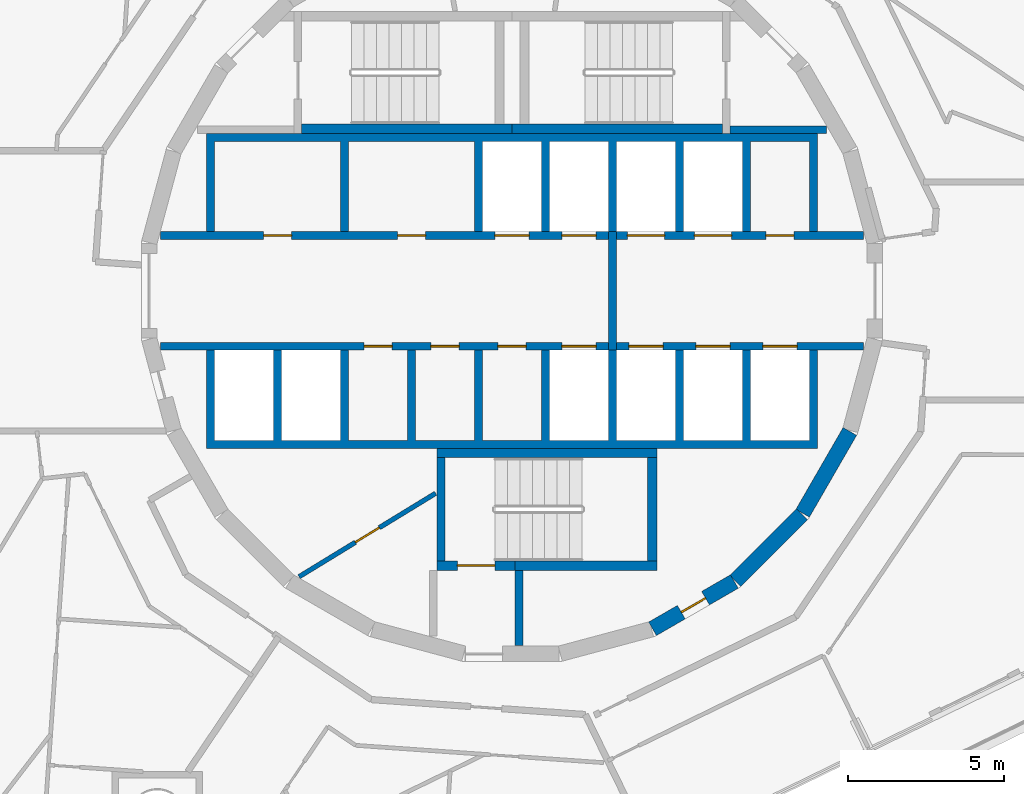
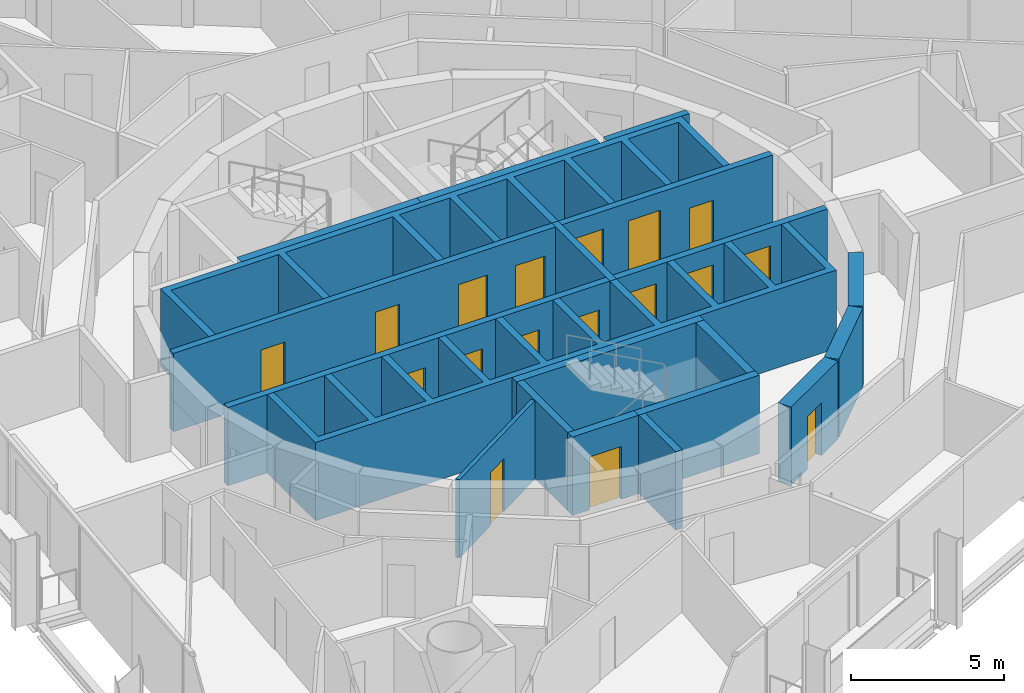
# One storey, part 13 of 18: 20 walls, 17 doors, 17 openings.
"""IFC4 building model written with IfcOpenShell, lengths in metres."""

from ifc_helpers import new_model, si_unit, direction, frame, frame_2d, origin, place, context, subcontext, project, spatial, polyline, rectangle, outline, extrude, material, layer, layer_set, type_object, element, fill, save


model = new_model("IFC4")

# Units and contexts
model_context = context("Model", 3, precision=1e-05, world=origin(), true_north=direction((0.0, 1.0)))
body_context = subcontext(model_context, "Body", "Model", "MODEL_VIEW")
ifc_project = project(units=[si_unit("LENGTHUNIT", "METRE"), si_unit("AREAUNIT", "SQUARE_METRE"), si_unit("VOLUMEUNIT", "CUBIC_METRE"), si_unit("PLANEANGLEUNIT", "RADIAN"), si_unit("MASSUNIT", "GRAM", prefix="KILO")], contexts=[model_context])

# Site, building, storey
site_placement = place(None, origin())
site = spatial("IfcSite", under=ifc_project, at=site_placement, CompositionType="ELEMENT")
building_placement = place(site_placement, origin())
building = spatial("IfcBuilding", under=site, at=building_placement, Name="Spindle Arch Residences", CompositionType="ELEMENT")
storey_placement = place(building_placement, frame((0.0, 0.0, 195.39990234375)))
storey = spatial("IfcBuildingStorey", under=building, at=storey_placement, Name="L49", CompositionType="ELEMENT", Elevation=195.39990234375)

# Wall, opening, door
ifc_material_1 = material(Name="Concrete C50/60", Category="concrete")
ifc_layer_1 = layer(ifc_material_1, 0.5)
ifc_layer_set_1 = layer_set([ifc_layer_1], Name="Core outline wall 500")
wall_type_1 = type_object("IfcWallType", Name="Core outline wall 500", PredefinedType="SHEAR", material=ifc_layer_set_1)
wall_1_placement = place(storey_placement, frame((4.510498046875, -10.84521484375, 0.0), z_axis=(0.0, 0.0, 1.0), x_axis=(0.865975092491, 0.500087131594, 0.0)))
wall_1 = element("IfcWall", 1, at=wall_1_placement, inside=storey, type_object=wall_type_1, Name="Core outline wall 2", PredefinedType="SHEAR", context=body_context, shape_type="SweptSolid", body=[
    extrude(rectangle(XDim=3.03271484375, YDim=0.5, at=frame_2d((1.516357421875, 0.0))), origin(), (0.0, 0.0, 1.0), 3.1201171875),
])
opening_1_placement = place(wall_1_placement, frame((1.06640625, 0.0, 0.0)))
opening_1 = element("IfcOpeningElement", 2, at=opening_1_placement, cuts=wall_1, Name="Opening R5A0-WD10", PredefinedType="OPENING", context=body_context, shape_type="SweptSolid", body=[
    extrude(rectangle(XDim=0.89990234375, YDim=2.10009765625, at=frame_2d((0.449951171875, 1.050048828125))), frame((0.0, 0.260009765625, 0.0), z_axis=(0.0, -1.0, 0.0), x_axis=(1.0, 0.0, 0.0)), (0.0, 0.0, 1.0), 0.52001953125),
])
ifc_material_2 = material(Name="Steel, fire-resisting door", Category="steel")
door_type_1 = type_object("IfcDoorType", Name="Service room door 900x2100", OperationType="SINGLE_SWING_LEFT", PredefinedType="DOOR", material=ifc_material_2)
door_1_placement = place(opening_1_placement, origin())
door_1 = element("IfcDoor", 3, at=door_1_placement, inside=storey, type_object=door_type_1, Name="Service room door R5A0-WD10", OperationType="SINGLE_SWING_RIGHT", OverallHeight=2.10009765625, OverallWidth=0.89990234375, PredefinedType="DOOR", context=body_context, shape_type="SweptSolid", body=[
    extrude(rectangle(XDim=0.89990234375, YDim=2.10009765625, at=frame_2d((0.449951171875, 1.050048828125))), frame((0.0, 0.02490234375, 0.0), z_axis=(0.0, -1.0, 0.0), x_axis=(1.0, 0.0, 0.0)), (0.0, 0.0, 1.0), 0.050048828125),
])
fill(opening_1, door_1)

# Walls
wall_2_placement = place(storey_placement, frame((7.163818359375, -9.30810546875, 0.0), z_axis=(0.0, 0.0, 1.0), x_axis=(0.707106781187, 0.707106781187, 0.0)))
element("IfcWall", 4, at=wall_2_placement, inside=storey, type_object=wall_type_1, Name="Core outline wall 3", PredefinedType="SHEAR", context=body_context, shape_type="SweptSolid", body=[
    extrude(rectangle(XDim=3.032470703125, YDim=0.5, at=frame_2d((1.51611328125, 0.0))), origin(), (0.0, 0.0, 1.0), 3.1201171875),
])
wall_3_placement = place(storey_placement, frame((9.32861328125, -7.13671875, 0.0), z_axis=(0.0, 0.0, 1.0), x_axis=(0.500087131594, 0.865975092491, 0.0)))
element("IfcWall", 5, at=wall_3_placement, inside=storey, type_object=wall_type_1, Name="Core outline wall 4", PredefinedType="SHEAR", context=body_context, shape_type="SweptSolid", body=[
    extrude(rectangle(XDim=3.03271484375, YDim=0.5, at=frame_2d((1.516357421875, 0.0))), origin(), (0.0, 0.0, 1.0), 3.1201171875),
])

# Wall, openings, doors
ifc_material_3 = material(Name="Concrete C40/50", Category="concrete")
ifc_layer_2 = layer(ifc_material_3, 0.25)
ifc_layer_set_2 = layer_set([ifc_layer_2], Name="Fire-lift lobby wall 250")
wall_type_2 = type_object("IfcWallType", Name="Fire-lift lobby wall 250", PredefinedType="SHEAR", material=ifc_layer_set_2)
wall_4_placement = place(storey_placement, frame((3.35009765625, 1.77490234375, 0.0), z_axis=(0.0, 0.0, 1.0), x_axis=(1.0, 0.0, 0.0)))
wall_4 = element("IfcWall", 6, at=wall_4_placement, inside=storey, type_object=wall_type_2, Name="Lift shaft front wall NE", PredefinedType="SHEAR", context=body_context, shape_type="SweptSolid", body=[
    extrude(rectangle(XDim=7.929931640625, YDim=0.25, at=frame_2d((3.96484375, 0.0))), origin(), (0.0, 0.0, 1.0), 3.1201171875),
])
opening_2_placement = place(wall_4_placement, frame((0.35009765625, 0.0, 0.0)))
opening_2 = element("IfcOpeningElement", 7, at=opening_2_placement, cuts=wall_4, Name="Opening R5A0-SLD01", PredefinedType="OPENING", context=body_context, shape_type="SweptSolid", body=[
    extrude(rectangle(XDim=1.199951171875, YDim=2.39990234375, at=frame_2d((0.60009765625, 1.199951171875))), frame((0.0, 0.135009765625, 0.0), z_axis=(0.0, -1.0, 0.0), x_axis=(1.0, 0.0, 0.0)), (0.0, 0.0, 1.0), 0.27001953125),
])
opening_3_placement = place(wall_4_placement, frame((2.5, 0.0, 0.0)))
opening_3 = element("IfcOpeningElement", 8, at=opening_3_placement, cuts=wall_4, Name="Opening R5A0-SLD02", PredefinedType="OPENING", context=body_context, shape_type="SweptSolid", body=[
    extrude(rectangle(XDim=1.199951171875, YDim=2.39990234375, at=frame_2d((0.60009765625, 1.199951171875))), frame((0.0, 0.135009765625, 0.0), z_axis=(0.0, -1.0, 0.0), x_axis=(1.0, 0.0, 0.0)), (0.0, 0.0, 1.0), 0.27001953125),
])
opening_4_placement = place(wall_4_placement, frame((4.800048828125, 0.0, 0.0)))
opening_4 = element("IfcOpeningElement", 9, at=opening_4_placement, cuts=wall_4, Name="Opening R5A0-WD03", PredefinedType="OPENING", context=body_context, shape_type="SweptSolid", body=[
    extrude(rectangle(XDim=0.89990234375, YDim=2.10009765625, at=frame_2d((0.449951171875, 1.050048828125))), frame((0.0, 0.135009765625, 0.0), z_axis=(0.0, -1.0, 0.0), x_axis=(1.0, 0.0, 0.0)), (0.0, 0.0, 1.0), 0.27001953125),
])
ifc_material_4 = material(Name="Steel, fire-resisting landing door", Category="steel")
door_type_2 = type_object("IfcDoorType", Name="Service lift landing door 1200x2400", OperationType="DOUBLE_DOOR_SLIDING", PredefinedType="DOOR", material=ifc_material_4)
door_2_placement = place(opening_2_placement, origin())
door_2 = element("IfcDoor", 10, at=door_2_placement, inside=storey, type_object=door_type_2, Name="Service lift landing door R5A0-SLD01", OperationType="DOUBLE_DOOR_SLIDING", OverallHeight=2.39990234375, OverallWidth=1.199951171875, PredefinedType="DOOR", context=body_context, shape_type="SweptSolid", body=[
    extrude(rectangle(XDim=1.199951171875, YDim=2.39990234375, at=frame_2d((0.60009765625, 1.199951171875))), frame((0.0, 0.02490234375, 0.0), z_axis=(0.0, -1.0, 0.0), x_axis=(1.0, 0.0, 0.0)), (0.0, 0.0, 1.0), 0.050048828125),
])
fill(opening_2, door_2)
door_3_placement = place(opening_3_placement, origin())
door_3 = element("IfcDoor", 11, at=door_3_placement, inside=storey, type_object=door_type_2, Name="Service lift landing door R5A0-SLD02", OperationType="DOUBLE_DOOR_SLIDING", OverallHeight=2.39990234375, OverallWidth=1.199951171875, PredefinedType="DOOR", context=body_context, shape_type="SweptSolid", body=[
    extrude(rectangle(XDim=1.199951171875, YDim=2.39990234375, at=frame_2d((0.60009765625, 1.199951171875))), frame((0.0, 0.02490234375, 0.0), z_axis=(0.0, -1.0, 0.0), x_axis=(1.0, 0.0, 0.0)), (0.0, 0.0, 1.0), 0.050048828125),
])
fill(opening_3, door_3)
door_4_placement = place(opening_4_placement, origin())
door_4 = element("IfcDoor", 12, at=door_4_placement, inside=storey, type_object=door_type_1, Name="Service room door R5A0-WD03", OperationType="SINGLE_SWING_LEFT", OverallHeight=2.10009765625, OverallWidth=0.89990234375, PredefinedType="DOOR", context=body_context, shape_type="SweptSolid", body=[
    extrude(rectangle(XDim=0.89990234375, YDim=2.10009765625, at=frame_2d((0.449951171875, 1.050048828125))), frame((0.0, 0.02490234375, 0.0), z_axis=(0.0, -1.0, 0.0), x_axis=(1.0, 0.0, 0.0)), (0.0, 0.0, 1.0), 0.050048828125),
])
fill(opening_4, door_4)

# Wall
wall_5_placement = place(storey_placement, frame((3.22509765625, -1.89990234375, 0.0), z_axis=(0.0, 0.0, 1.0), x_axis=(0.0, 1.0, 0.0)))
element("IfcWall", 13, at=wall_5_placement, inside=storey, type_object=wall_type_2, Name="Fire-fighting lobby partition", PredefinedType="SHEAR", context=body_context, shape_type="SweptSolid", body=[
    extrude(rectangle(XDim=3.7998046875, YDim=0.25, at=frame_2d((1.89990234375, 0.0))), origin(), (0.0, 0.0, 1.0), 3.1201171875),
])

# Wall, openings, doors
ifc_material_5 = material(Name="Concrete C50/60", Category="concrete")
ifc_layer_3 = layer(ifc_material_5, 0.25)
ifc_layer_set_3 = layer_set([ifc_layer_3], Name="Fire-lift shaft wall 250")
wall_type_3 = type_object("IfcWallType", Name="Fire-lift shaft wall 250", PredefinedType="SHEAR", material=ifc_layer_set_3)
wall_6_placement = place(storey_placement, frame((3.35009765625, -1.77490234375, 0.0), z_axis=(0.0, 0.0, 1.0), x_axis=(1.0, 0.0, 0.0)))
wall_6 = element("IfcWall", 14, at=wall_6_placement, inside=storey, type_object=wall_type_3, Name="Lift shaft front wall SE", PredefinedType="SHEAR", context=body_context, shape_type="SweptSolid", body=[
    extrude(rectangle(XDim=7.929931640625, YDim=0.25, at=frame_2d((3.96484375, 0.0))), origin(), (0.0, 0.0, 1.0), 3.1201171875),
])
opening_5_placement = place(wall_6_placement, frame((0.39990234375, 0.0, 0.0)))
opening_5 = element("IfcOpeningElement", 15, at=opening_5_placement, cuts=wall_6, Name="Opening R5A0-FLD01", PredefinedType="OPENING", context=body_context, shape_type="SweptSolid", body=[
    extrude(rectangle(XDim=1.10009765625, YDim=2.39990234375, at=frame_2d((0.550048828125, 1.199951171875))), frame((0.0, 0.135009765625, 0.0), z_axis=(0.0, -1.0, 0.0), x_axis=(1.0, 0.0, 0.0)), (0.0, 0.0, 1.0), 0.27001953125),
])
opening_6_placement = place(wall_6_placement, frame((2.550048828125, 0.0, 0.0)))
opening_6 = element("IfcOpeningElement", 16, at=opening_6_placement, cuts=wall_6, Name="Opening R5A0-FLD02", PredefinedType="OPENING", context=body_context, shape_type="SweptSolid", body=[
    extrude(rectangle(XDim=1.10009765625, YDim=2.39990234375, at=frame_2d((0.550048828125, 1.199951171875))), frame((0.0, 0.135009765625, 0.0), z_axis=(0.0, -1.0, 0.0), x_axis=(1.0, 0.0, 0.0)), (0.0, 0.0, 1.0), 0.27001953125),
])
opening_7_placement = place(wall_6_placement, frame((4.699951171875, 0.0, 0.0)))
opening_7 = element("IfcOpeningElement", 17, at=opening_7_placement, cuts=wall_6, Name="Opening R5A0-FLD03", PredefinedType="OPENING", context=body_context, shape_type="SweptSolid", body=[
    extrude(rectangle(XDim=1.10009765625, YDim=2.39990234375, at=frame_2d((0.550048828125, 1.199951171875))), frame((0.0, 0.135009765625, 0.0), z_axis=(0.0, -1.0, 0.0), x_axis=(1.0, 0.0, 0.0)), (0.0, 0.0, 1.0), 0.27001953125),
])
ifc_material_6 = material(Name="Steel, fire-resisting landing door", Category="steel")
door_type_3 = type_object("IfcDoorType", Name="Fire-fighting lift landing door 1100x2400", OperationType="DOUBLE_DOOR_SLIDING", PredefinedType="DOOR", material=ifc_material_6)
door_5_placement = place(opening_5_placement, origin())
door_5 = element("IfcDoor", 18, at=door_5_placement, inside=storey, type_object=door_type_3, Name="Fire-fighting lift landing door R5A0-FLD01", OperationType="DOUBLE_DOOR_SLIDING", OverallHeight=2.39990234375, OverallWidth=1.10009765625, PredefinedType="DOOR", context=body_context, shape_type="SweptSolid", body=[
    extrude(rectangle(XDim=1.10009765625, YDim=2.39990234375, at=frame_2d((0.550048828125, 1.199951171875))), frame((0.0, 0.02490234375, 0.0), z_axis=(0.0, -1.0, 0.0), x_axis=(1.0, 0.0, 0.0)), (0.0, 0.0, 1.0), 0.050048828125),
])
fill(opening_5, door_5)
door_6_placement = place(opening_6_placement, origin())
door_6 = element("IfcDoor", 19, at=door_6_placement, inside=storey, type_object=door_type_3, Name="Fire-fighting lift landing door R5A0-FLD02", OperationType="DOUBLE_DOOR_SLIDING", OverallHeight=2.39990234375, OverallWidth=1.10009765625, PredefinedType="DOOR", context=body_context, shape_type="SweptSolid", body=[
    extrude(rectangle(XDim=1.10009765625, YDim=2.39990234375, at=frame_2d((0.550048828125, 1.199951171875))), frame((0.0, 0.02490234375, 0.0), z_axis=(0.0, -1.0, 0.0), x_axis=(1.0, 0.0, 0.0)), (0.0, 0.0, 1.0), 0.050048828125),
])
fill(opening_6, door_6)
door_7_placement = place(opening_7_placement, origin())
door_7 = element("IfcDoor", 20, at=door_7_placement, inside=storey, type_object=door_type_3, Name="Fire-fighting lift landing door R5A0-FLD03", OperationType="DOUBLE_DOOR_SLIDING", OverallHeight=2.39990234375, OverallWidth=1.10009765625, PredefinedType="DOOR", context=body_context, shape_type="SweptSolid", body=[
    extrude(rectangle(XDim=1.10009765625, YDim=2.39990234375, at=frame_2d((0.550048828125, 1.199951171875))), frame((0.0, 0.02490234375, 0.0), z_axis=(0.0, -1.0, 0.0), x_axis=(1.0, 0.0, 0.0)), (0.0, 0.0, 1.0), 0.050048828125),
])
fill(opening_7, door_7)

ifc_material_7 = material(Name="Concrete C50/60", Category="concrete")
ifc_layer_4 = layer(ifc_material_7, 0.25)
ifc_layer_set_4 = layer_set([ifc_layer_4], Name="Lift shaft wall 250")
wall_type_4 = type_object("IfcWallType", Name="Lift shaft wall 250", PredefinedType="SHEAR", material=ifc_layer_set_4)
wall_7_placement = place(storey_placement, frame((-11.280029296875, 1.77490234375, 0.0), z_axis=(0.0, 0.0, 1.0), x_axis=(1.0, 0.0, 0.0)))
wall_7 = element("IfcWall", 21, at=wall_7_placement, inside=storey, type_object=wall_type_4, Name="Lift shaft front wall NW", PredefinedType="SHEAR", context=body_context, shape_type="SweptSolid", body=[
    extrude(rectangle(XDim=14.380126953125, YDim=0.25, at=frame_2d((7.18994140625, 0.0))), origin(), (0.0, 0.0, 1.0), 3.1201171875),
])
opening_8_placement = place(wall_7_placement, frame((10.72998046875, 0.0, 0.0)))
opening_8 = element("IfcOpeningElement", 22, at=opening_8_placement, cuts=wall_7, Name="Opening R5A0-LD01", PredefinedType="OPENING", context=body_context, shape_type="SweptSolid", body=[
    extrude(rectangle(XDim=1.10009765625, YDim=2.10009765625, at=frame_2d((0.550048828125, 1.050048828125))), frame((0.0, 0.135009765625, 0.0), z_axis=(0.0, -1.0, 0.0), x_axis=(1.0, 0.0, 0.0)), (0.0, 0.0, 1.0), 0.27001953125),
])
opening_9_placement = place(wall_7_placement, frame((12.8798828125, 0.0, 0.0)))
opening_9 = element("IfcOpeningElement", 23, at=opening_9_placement, cuts=wall_7, Name="Opening R5A0-LD02", PredefinedType="OPENING", context=body_context, shape_type="SweptSolid", body=[
    extrude(rectangle(XDim=1.10009765625, YDim=2.10009765625, at=frame_2d((0.550048828125, 1.050048828125))), frame((0.0, 0.135009765625, 0.0), z_axis=(0.0, -1.0, 0.0), x_axis=(1.0, 0.0, 0.0)), (0.0, 0.0, 1.0), 0.27001953125),
])
opening_10_placement = place(wall_7_placement, frame((3.304931640625, 0.0, 0.0)))
opening_10 = element("IfcOpeningElement", 24, at=opening_10_placement, cuts=wall_7, Name="Opening R5A0-WD01", PredefinedType="OPENING", context=body_context, shape_type="SweptSolid", body=[
    extrude(rectangle(XDim=0.89990234375, YDim=2.10009765625, at=frame_2d((0.449951171875, 1.050048828125))), frame((0.0, 0.135009765625, 0.0), z_axis=(0.0, -1.0, 0.0), x_axis=(1.0, 0.0, 0.0)), (0.0, 0.0, 1.0), 0.27001953125),
])
opening_11_placement = place(wall_7_placement, frame((7.60498046875, 0.0, 0.0)))
opening_11 = element("IfcOpeningElement", 25, at=opening_11_placement, cuts=wall_7, Name="Opening R5A0-WD02", PredefinedType="OPENING", context=body_context, shape_type="SweptSolid", body=[
    extrude(rectangle(XDim=0.89990234375, YDim=2.10009765625, at=frame_2d((0.449951171875, 1.050048828125))), frame((0.0, 0.135009765625, 0.0), z_axis=(0.0, -1.0, 0.0), x_axis=(1.0, 0.0, 0.0)), (0.0, 0.0, 1.0), 0.27001953125),
])
ifc_material_8 = material(Name="Steel, fire-resisting landing door", Category="steel")
door_type_4 = type_object("IfcDoorType", Name="Lift landing door 1100x2100", OperationType="DOUBLE_DOOR_SLIDING", PredefinedType="DOOR", material=ifc_material_8)
door_8_placement = place(opening_8_placement, origin())
door_8 = element("IfcDoor", 26, at=door_8_placement, inside=storey, type_object=door_type_4, Name="Lift landing door R5A0-LD01", OperationType="DOUBLE_DOOR_SLIDING", OverallHeight=2.10009765625, OverallWidth=1.10009765625, PredefinedType="DOOR", context=body_context, shape_type="SweptSolid", body=[
    extrude(rectangle(XDim=1.10009765625, YDim=2.10009765625, at=frame_2d((0.550048828125, 1.050048828125))), frame((0.0, 0.02490234375, 0.0), z_axis=(0.0, -1.0, 0.0), x_axis=(1.0, 0.0, 0.0)), (0.0, 0.0, 1.0), 0.050048828125),
])
fill(opening_8, door_8)
door_9_placement = place(opening_9_placement, origin())
door_9 = element("IfcDoor", 27, at=door_9_placement, inside=storey, type_object=door_type_4, Name="Lift landing door R5A0-LD02", OperationType="DOUBLE_DOOR_SLIDING", OverallHeight=2.10009765625, OverallWidth=1.10009765625, PredefinedType="DOOR", context=body_context, shape_type="SweptSolid", body=[
    extrude(rectangle(XDim=1.10009765625, YDim=2.10009765625, at=frame_2d((0.550048828125, 1.050048828125))), frame((0.0, 0.02490234375, 0.0), z_axis=(0.0, -1.0, 0.0), x_axis=(1.0, 0.0, 0.0)), (0.0, 0.0, 1.0), 0.050048828125),
])
fill(opening_9, door_9)
door_10_placement = place(opening_10_placement, origin())
door_10 = element("IfcDoor", 28, at=door_10_placement, inside=storey, type_object=door_type_1, Name="Service room door R5A0-WD01", OperationType="SINGLE_SWING_LEFT", OverallHeight=2.10009765625, OverallWidth=0.89990234375, PredefinedType="DOOR", context=body_context, shape_type="SweptSolid", body=[
    extrude(rectangle(XDim=0.89990234375, YDim=2.10009765625, at=frame_2d((0.449951171875, 1.050048828125))), frame((0.0, 0.02490234375, 0.0), z_axis=(0.0, -1.0, 0.0), x_axis=(1.0, 0.0, 0.0)), (0.0, 0.0, 1.0), 0.050048828125),
])
fill(opening_10, door_10)
door_11_placement = place(opening_11_placement, origin())
door_11 = element("IfcDoor", 29, at=door_11_placement, inside=storey, type_object=door_type_1, Name="Service room door R5A0-WD02", OperationType="SINGLE_SWING_RIGHT", OverallHeight=2.10009765625, OverallWidth=0.89990234375, PredefinedType="DOOR", context=body_context, shape_type="SweptSolid", body=[
    extrude(rectangle(XDim=0.89990234375, YDim=2.10009765625, at=frame_2d((0.449951171875, 1.050048828125))), frame((0.0, 0.02490234375, 0.0), z_axis=(0.0, -1.0, 0.0), x_axis=(1.0, 0.0, 0.0)), (0.0, 0.0, 1.0), 0.050048828125),
])
fill(opening_11, door_11)

wall_8_placement = place(storey_placement, frame((-11.280029296875, -1.77490234375, 0.0), z_axis=(0.0, 0.0, 1.0), x_axis=(1.0, 0.0, 0.0)))
wall_8 = element("IfcWall", 30, at=wall_8_placement, inside=storey, type_object=wall_type_4, Name="Lift shaft front wall SW", PredefinedType="SHEAR", context=body_context, shape_type="SweptSolid", body=[
    extrude(rectangle(XDim=14.380126953125, YDim=0.25, at=frame_2d((7.18994140625, 0.0))), origin(), (0.0, 0.0, 1.0), 3.1201171875),
])
opening_12_placement = place(wall_8_placement, frame((12.8798828125, 0.0, 0.0)))
opening_12 = element("IfcOpeningElement", 31, at=opening_12_placement, cuts=wall_8, Name="Opening R5A0-LD03", PredefinedType="OPENING", context=body_context, shape_type="SweptSolid", body=[
    extrude(rectangle(XDim=1.10009765625, YDim=2.10009765625, at=frame_2d((0.550048828125, 1.050048828125))), frame((0.0, 0.135009765625, 0.0), z_axis=(0.0, -1.0, 0.0), x_axis=(1.0, 0.0, 0.0)), (0.0, 0.0, 1.0), 0.27001953125),
])
opening_13_placement = place(wall_8_placement, frame((6.530029296875, 0.0, 0.0)))
opening_13 = element("IfcOpeningElement", 32, at=opening_13_placement, cuts=wall_8, Name="Opening R5A0-WD04", PredefinedType="OPENING", context=body_context, shape_type="SweptSolid", body=[
    extrude(rectangle(XDim=0.89990234375, YDim=2.10009765625, at=frame_2d((0.449951171875, 1.050048828125))), frame((0.0, 0.135009765625, 0.0), z_axis=(0.0, -1.0, 0.0), x_axis=(1.0, 0.0, 0.0)), (0.0, 0.0, 1.0), 0.27001953125),
])
opening_14_placement = place(wall_8_placement, frame((8.679931640625, 0.0, 0.0)))
opening_14 = element("IfcOpeningElement", 33, at=opening_14_placement, cuts=wall_8, Name="Opening R5A0-WD05", PredefinedType="OPENING", context=body_context, shape_type="SweptSolid", body=[
    extrude(rectangle(XDim=0.89990234375, YDim=2.10009765625, at=frame_2d((0.449951171875, 1.050048828125))), frame((0.0, 0.135009765625, 0.0), z_axis=(0.0, -1.0, 0.0), x_axis=(1.0, 0.0, 0.0)), (0.0, 0.0, 1.0), 0.27001953125),
])
opening_15_placement = place(wall_8_placement, frame((10.830078125, 0.0, 0.0)))
opening_15 = element("IfcOpeningElement", 34, at=opening_15_placement, cuts=wall_8, Name="Opening R5A0-WD06", PredefinedType="OPENING", context=body_context, shape_type="SweptSolid", body=[
    extrude(rectangle(XDim=0.89990234375, YDim=2.10009765625, at=frame_2d((0.449951171875, 1.050048828125))), frame((0.0, 0.135009765625, 0.0), z_axis=(0.0, -1.0, 0.0), x_axis=(1.0, 0.0, 0.0)), (0.0, 0.0, 1.0), 0.27001953125),
])
door_12_placement = place(opening_12_placement, origin())
door_12 = element("IfcDoor", 35, at=door_12_placement, inside=storey, type_object=door_type_4, Name="Lift landing door R5A0-LD03", OperationType="DOUBLE_DOOR_SLIDING", OverallHeight=2.10009765625, OverallWidth=1.10009765625, PredefinedType="DOOR", context=body_context, shape_type="SweptSolid", body=[
    extrude(rectangle(XDim=1.10009765625, YDim=2.10009765625, at=frame_2d((0.550048828125, 1.050048828125))), frame((0.0, 0.02490234375, 0.0), z_axis=(0.0, -1.0, 0.0), x_axis=(1.0, 0.0, 0.0)), (0.0, 0.0, 1.0), 0.050048828125),
])
fill(opening_12, door_12)
door_13_placement = place(opening_13_placement, origin())
door_13 = element("IfcDoor", 36, at=door_13_placement, inside=storey, type_object=door_type_1, Name="Service room door R5A0-WD04", OperationType="SINGLE_SWING_RIGHT", OverallHeight=2.10009765625, OverallWidth=0.89990234375, PredefinedType="DOOR", context=body_context, shape_type="SweptSolid", body=[
    extrude(rectangle(XDim=0.89990234375, YDim=2.10009765625, at=frame_2d((0.449951171875, 1.050048828125))), frame((0.0, 0.02490234375, 0.0), z_axis=(0.0, -1.0, 0.0), x_axis=(1.0, 0.0, 0.0)), (0.0, 0.0, 1.0), 0.050048828125),
])
fill(opening_13, door_13)
door_14_placement = place(opening_14_placement, origin())
door_14 = element("IfcDoor", 37, at=door_14_placement, inside=storey, type_object=door_type_1, Name="Service room door R5A0-WD05", OperationType="SINGLE_SWING_LEFT", OverallHeight=2.10009765625, OverallWidth=0.89990234375, PredefinedType="DOOR", context=body_context, shape_type="SweptSolid", body=[
    extrude(rectangle(XDim=0.89990234375, YDim=2.10009765625, at=frame_2d((0.449951171875, 1.050048828125))), frame((0.0, 0.02490234375, 0.0), z_axis=(0.0, -1.0, 0.0), x_axis=(1.0, 0.0, 0.0)), (0.0, 0.0, 1.0), 0.050048828125),
])
fill(opening_14, door_14)
door_15_placement = place(opening_15_placement, origin())
door_15 = element("IfcDoor", 38, at=door_15_placement, inside=storey, type_object=door_type_1, Name="Service room door R5A0-WD06", OperationType="SINGLE_SWING_RIGHT", OverallHeight=2.10009765625, OverallWidth=0.89990234375, PredefinedType="DOOR", context=body_context, shape_type="SweptSolid", body=[
    extrude(rectangle(XDim=0.89990234375, YDim=2.10009765625, at=frame_2d((0.449951171875, 1.050048828125))), frame((0.0, 0.02490234375, 0.0), z_axis=(0.0, -1.0, 0.0), x_axis=(1.0, 0.0, 0.0)), (0.0, 0.0, 1.0), 0.050048828125),
])
fill(opening_15, door_15)

# Walls
ifc_material_9 = material(Name="Concrete C50/60", Category="concrete")
wall_type_5 = type_object("IfcWallType", Name="Lift shaft wall profile", PredefinedType="SHEAR", material=ifc_material_9)
wall_9_placement = place(storey_placement, origin())
element("IfcWall", 39, at=wall_9_placement, inside=storey, type_object=wall_type_5, Name="Lift shaft walls N", PredefinedType="SHEAR", context=body_context, shape_type="SweptSolid", body=[
    extrude(outline(polyline([(-9.550048828125, 4.800048828125), (-5.5, 4.800048828125), (-5.5, 1.89990234375), (-5.25, 1.89990234375), (-5.25, 4.800048828125), (-1.199951171875, 4.800048828125), (-1.199951171875, 1.89990234375), (-0.949951171875, 1.89990234375), (-0.949951171875, 4.800048828125), (0.949951171875, 4.800048828125), (0.949951171875, 1.89990234375), (1.199951171875, 1.89990234375), (1.199951171875, 4.800048828125), (3.10009765625, 4.800048828125), (3.10009765625, 1.89990234375), (3.35009765625, 1.89990234375), (3.35009765625, 4.800048828125), (5.25, 4.800048828125), (5.25, 1.89990234375), (5.5, 1.89990234375), (5.5, 4.800048828125), (7.39990234375, 4.800048828125), (7.39990234375, 1.89990234375), (7.64990234375, 1.89990234375), (7.64990234375, 4.800048828125), (9.550048828125, 4.800048828125), (9.550048828125, 1.89990234375), (9.800048828125, 1.89990234375), (9.800048828125, 4.800048828125), (9.800048828125, 5.050048828125), (-9.800048828125, 5.050048828125), (-9.800048828125, 4.800048828125), (-9.800048828125, 1.89990234375), (-9.550048828125, 1.89990234375), (-9.550048828125, 4.800048828125)])), origin(), (0.0, 0.0, 1.0), 3.1201171875),
])
wall_10_placement = place(storey_placement, origin())
element("IfcWall", 40, at=wall_10_placement, inside=storey, type_object=wall_type_5, Name="Lift shaft walls S", PredefinedType="SHEAR", context=body_context, shape_type="SweptSolid", body=[
    extrude(outline(polyline([(9.800048828125, -5.050048828125), (9.800048828125, -4.800048828125), (9.800048828125, -1.89990234375), (9.550048828125, -1.89990234375), (9.550048828125, -4.800048828125), (7.64990234375, -4.800048828125), (7.64990234375, -1.89990234375), (7.39990234375, -1.89990234375), (7.39990234375, -4.800048828125), (5.5, -4.800048828125), (5.5, -1.89990234375), (5.25, -1.89990234375), (5.25, -4.800048828125), (3.35009765625, -4.800048828125), (3.35009765625, -1.89990234375), (3.10009765625, -1.89990234375), (3.10009765625, -4.800048828125), (1.199951171875, -4.800048828125), (1.199951171875, -1.89990234375), (0.949951171875, -1.89990234375), (0.949951171875, -4.800048828125), (-0.949951171875, -4.800048828125), (-0.949951171875, -1.89990234375), (-1.199951171875, -1.89990234375), (-1.199951171875, -4.800048828125), (-3.10009765625, -4.800048828125), (-3.10009765625, -1.89990234375), (-3.35009765625, -1.89990234375), (-3.35009765625, -4.800048828125), (-5.25, -4.800048828125), (-5.25, -1.89990234375), (-5.5, -1.89990234375), (-5.5, -4.800048828125), (-7.39990234375, -4.800048828125), (-7.39990234375, -1.89990234375), (-7.64990234375, -1.89990234375), (-7.64990234375, -4.800048828125), (-9.550048828125, -4.800048828125), (-9.550048828125, -1.89990234375), (-9.800048828125, -1.89990234375), (-9.800048828125, -4.800048828125), (-9.800048828125, -5.050048828125), (9.800048828125, -5.050048828125)])), origin(), (0.0, 0.0, 1.0), 3.1201171875),
])

# Wall, opening, door
ifc_material_10 = material(Name="Concrete C25/30", Category="concrete")
ifc_layer_5 = layer(ifc_material_10, 0.14990234375)
ifc_layer_set_5 = layer_set([ifc_layer_5], Name="Service room partition 150")
wall_type_6 = type_object("IfcWallType", Name="Service room partition 150", PredefinedType="PARTITIONING", material=ifc_layer_set_5)
wall_11_placement = place(storey_placement, frame((-2.451171875, -6.49462890625, 0.0), z_axis=(0.0, 0.0, 1.0), x_axis=(-0.853250115418, -0.521501908471, 0.0)))
wall_11 = element("IfcWall", 41, at=wall_11_placement, inside=storey, type_object=wall_type_6, Name="Core service room partition", PredefinedType="PARTITIONING", context=body_context, shape_type="SweptSolid", body=[
    extrude(rectangle(XDim=5.137451171875, YDim=0.14990234375, at=frame_2d((2.56884765625, 0.0))), origin(), (0.0, 0.0, 1.0), 3.1201171875),
])
opening_16_placement = place(wall_11_placement, frame((2.11865234375, 0.0, 0.0)))
opening_16 = element("IfcOpeningElement", 42, at=opening_16_placement, cuts=wall_11, Name="Opening R5A0-WD07", PredefinedType="OPENING", context=body_context, shape_type="SweptSolid", body=[
    extrude(rectangle(XDim=0.89990234375, YDim=2.10009765625, at=frame_2d((0.449951171875, 1.050048828125))), frame((0.0, 0.0849609375, 0.0), z_axis=(0.0, -1.0, 0.0), x_axis=(1.0, 0.0, 0.0)), (0.0, 0.0, 1.0), 0.169921875),
])
door_16_placement = place(opening_16_placement, origin())
door_16 = element("IfcDoor", 43, at=door_16_placement, inside=storey, type_object=door_type_1, Name="Service room door R5A0-WD07", OperationType="SINGLE_SWING_LEFT", OverallHeight=2.10009765625, OverallWidth=0.89990234375, PredefinedType="DOOR", context=body_context, shape_type="SweptSolid", body=[
    extrude(rectangle(XDim=0.89990234375, YDim=2.10009765625, at=frame_2d((0.449951171875, 1.050048828125))), frame((0.0, 0.02490234375, 0.0), z_axis=(0.0, -1.0, 0.0), x_axis=(1.0, 0.0, 0.0)), (0.0, 0.0, 1.0), 0.050048828125),
])
fill(opening_16, door_16)

# Walls
ifc_material_11 = material(Name="Concrete C40/50", Category="concrete")
ifc_layer_6 = layer(ifc_material_11, 0.25)
ifc_layer_set_6 = layer_set([ifc_layer_6], Name="Stair airlock wall 250")
wall_type_7 = type_object("IfcWallType", Name="Stair airlock wall 250", PredefinedType="SHEAR", material=ifc_layer_set_6)
wall_12_placement = place(storey_placement, frame((7.0, 5.175048828125, 0.0), z_axis=(0.0, 0.0, 1.0), x_axis=(1.0, 0.0, 0.0)))
element("IfcWall", 44, at=wall_12_placement, inside=storey, type_object=wall_type_7, Name="Stair ST-1 airlock wall S", PredefinedType="SHEAR", context=body_context, shape_type="SweptSolid", body=[
    extrude(rectangle(XDim=3.10009765625, YDim=0.25, at=frame_2d((1.550048828125, 0.0))), origin(), (0.0, 0.0, 1.0), 3.1201171875),
])
wall_13_placement = place(storey_placement, frame((0.22509765625, -8.969970703125, 0.0), z_axis=(0.0, 0.0, 1.0), x_axis=(0.0, -1.0, 0.0)))
element("IfcWall", 45, at=wall_13_placement, inside=storey, type_object=wall_type_7, Name="Stair ST-3 airlock wall E", PredefinedType="SHEAR", context=body_context, shape_type="SweptSolid", body=[
    extrude(rectangle(XDim=2.409912109375, YDim=0.25, at=frame_2d((1.205078125, 0.0))), origin(), (0.0, 0.0, 1.0), 3.1201171875),
])
ifc_material_12 = material(Name="Concrete C50/60", Category="concrete")
ifc_layer_7 = layer(ifc_material_12, 0.25)
ifc_layer_set_7 = layer_set([ifc_layer_7], Name="Stair enclosure wall 250")
wall_type_8 = type_object("IfcWallType", Name="Stair enclosure wall 250", PredefinedType="SHEAR", material=ifc_layer_set_7)
wall_14_placement = place(storey_placement, frame((-2.27490234375, -8.669921875, 0.0), z_axis=(0.0, 0.0, 1.0), x_axis=(0.0, 1.0, 0.0)))
element("IfcWall", 46, at=wall_14_placement, inside=storey, type_object=wall_type_8, Name="Stair ST-3 enclosure wall W", PredefinedType="SHEAR", context=body_context, shape_type="SweptSolid", body=[
    extrude(rectangle(XDim=3.31982421875, YDim=0.25, at=frame_2d((1.659912109375, 0.0))), origin(), (0.0, 0.0, 1.0), 3.1201171875),
])
ifc_material_13 = material(Name="Concrete C50/60", Category="concrete")
ifc_layer_8 = layer(ifc_material_13, 0.300048828125)
ifc_layer_set_8 = layer_set([ifc_layer_8], Name="Stair enclosure wall 300")
wall_type_9 = type_object("IfcWallType", Name="Stair enclosure wall 300", PredefinedType="SHEAR", material=ifc_layer_set_8)
for number, where, z_axis, x_axis, name in (
    (47, (0.0, 5.199951171875, 0.0), (0.0, 0.0, 1.0), (1.0, 0.0, 0.0), "Stair ST-1 enclosure wall S"),
    (48, (-6.75, 5.199951171875, 0.0), (0.0, 0.0, 1.0), (1.0, 0.0, 0.0), "Stair ST-2 enclosure wall S"),
):
    element("IfcWall", number, at=place(storey_placement, frame(where, z_axis=z_axis, x_axis=x_axis)), inside=storey, type_object=wall_type_9, Name=name, PredefinedType="SHEAR", context=body_context, shape_type="SweptSolid", body=[
        extrude(rectangle(XDim=6.75, YDim=0.300048828125, at=frame_2d((3.375, 0.0))), origin(), (0.0, 0.0, 1.0), 3.1201171875),
    ])
wall_15_placement = place(storey_placement, frame((-2.39990234375, -5.199951171875, 0.0), z_axis=(0.0, 0.0, 1.0), x_axis=(1.0, 0.0, 0.0)))
element("IfcWall", 49, at=wall_15_placement, inside=storey, type_object=wall_type_9, Name="Stair ST-3 enclosure wall N", PredefinedType="SHEAR", context=body_context, shape_type="SweptSolid", body=[
    extrude(rectangle(XDim=7.0498046875, YDim=0.300048828125, at=frame_2d((3.52490234375, 0.0))), origin(), (0.0, 0.0, 1.0), 3.1201171875),
])
wall_16_placement = place(storey_placement, frame((4.5, -8.669921875, 0.0), z_axis=(0.0, 0.0, 1.0), x_axis=(0.0, 1.0, 0.0)))
element("IfcWall", 50, at=wall_16_placement, inside=storey, type_object=wall_type_9, Name="Stair ST-3 enclosure wall E", PredefinedType="SHEAR", context=body_context, shape_type="SweptSolid", body=[
    extrude(rectangle(XDim=3.31982421875, YDim=0.300048828125, at=frame_2d((1.659912109375, 0.0))), origin(), (0.0, 0.0, 1.0), 3.1201171875),
])
wall_17_placement = place(storey_placement, frame((0.10009765625, -8.820068359375, 0.0), z_axis=(0.0, 0.0, 1.0), x_axis=(1.0, 0.0, 0.0)))
element("IfcWall", 51, at=wall_17_placement, inside=storey, type_object=wall_type_9, Name="Stair ST-3 enclosure wall S", PredefinedType="SHEAR", context=body_context, shape_type="SweptSolid", body=[
    extrude(rectangle(XDim=4.5498046875, YDim=0.300048828125, at=frame_2d((2.27490234375, 0.0))), origin(), (0.0, 0.0, 1.0), 3.1201171875),
])

# Wall, opening, door
wall_18_placement = place(storey_placement, frame((-2.39990234375, -8.820068359375, 0.0), z_axis=(0.0, 0.0, 1.0), x_axis=(1.0, 0.0, 0.0)))
wall_18 = element("IfcWall", 52, at=wall_18_placement, inside=storey, type_object=wall_type_9, Name="Stair ST-3 door wall", PredefinedType="SHEAR", context=body_context, shape_type="SweptSolid", body=[
    extrude(rectangle(XDim=2.5, YDim=0.300048828125, at=frame_2d((1.25, 0.0))), origin(), (0.0, 0.0, 1.0), 3.1201171875),
])
opening_17_placement = place(wall_18_placement, frame((0.64990234375, 0.0, 0.0)))
opening_17 = element("IfcOpeningElement", 53, at=opening_17_placement, cuts=wall_18, Name="Opening R5A0-SD03", PredefinedType="OPENING", context=body_context, shape_type="SweptSolid", body=[
    extrude(rectangle(XDim=1.199951171875, YDim=2.10009765625, at=frame_2d((0.60009765625, 1.050048828125))), frame((0.0, 0.16015625, 0.0), z_axis=(0.0, -1.0, 0.0), x_axis=(1.0, 0.0, 0.0)), (0.0, 0.0, 1.0), 0.320068359375),
])
ifc_material_14 = material(Name="Steel, fire-resisting door", Category="steel")
door_type_5 = type_object("IfcDoorType", Name="Stair door 1200x2100", OperationType="SINGLE_SWING_RIGHT", PredefinedType="DOOR", material=ifc_material_14)
door_17_placement = place(opening_17_placement, origin())
door_17 = element("IfcDoor", 54, at=door_17_placement, inside=storey, type_object=door_type_5, Name="Stair door R5A0-SD03", OperationType="SINGLE_SWING_LEFT", OverallHeight=2.10009765625, OverallWidth=1.199951171875, PredefinedType="DOOR", context=body_context, shape_type="SweptSolid", body=[
    extrude(rectangle(XDim=1.199951171875, YDim=2.10009765625, at=frame_2d((0.60009765625, 1.050048828125))), frame((0.0, 0.02490234375, 0.0), z_axis=(0.0, -1.0, 0.0), x_axis=(1.0, 0.0, 0.0)), (0.0, 0.0, 1.0), 0.050048828125),
])
fill(opening_17, door_17)

save(model, "model.ifc")
